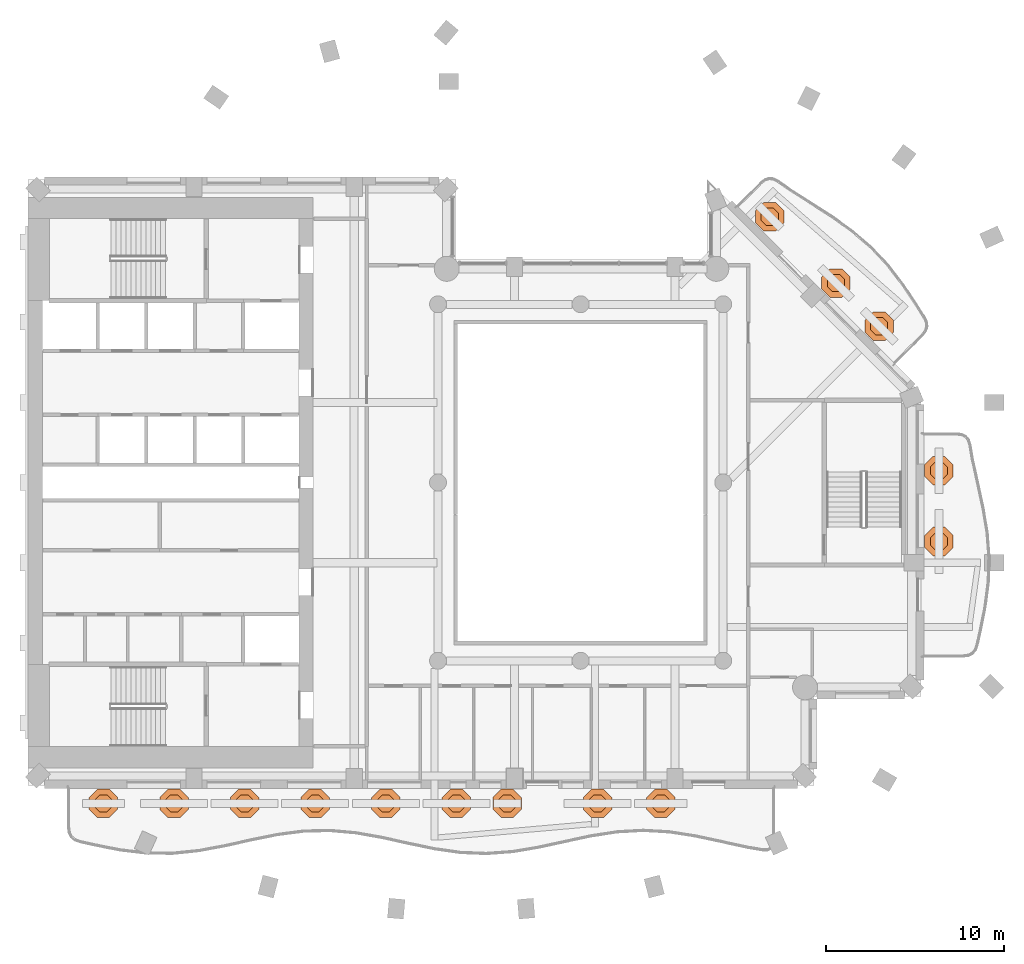
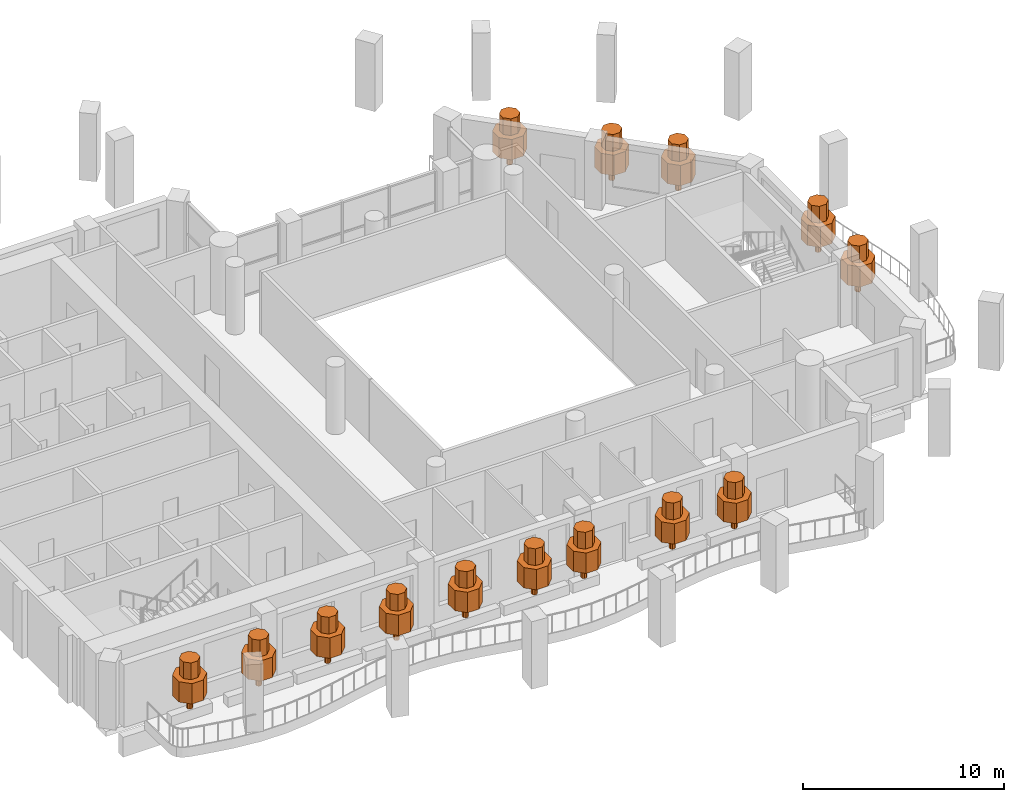
# One storey, part 15 of 15: 14 geographic elements.
"""IFC4 building model written with IfcOpenShell, lengths in metres."""

from ifc_helpers import new_model, si_unit, direction, frame, origin, place, context, subcontext, project, spatial, polyline, outline, extrude, material, type_object, element, save


model = new_model("IFC4")

# Units and contexts
model_context = context("Model", 3, precision=1e-05, world=origin(), true_north=direction((0.0, 1.0)))
body_context = subcontext(model_context, "Body", "Model", "MODEL_VIEW")
ifc_project = project(units=[si_unit("LENGTHUNIT", "METRE"), si_unit("AREAUNIT", "SQUARE_METRE"), si_unit("VOLUMEUNIT", "CUBIC_METRE"), si_unit("PLANEANGLEUNIT", "RADIAN"), si_unit("MASSUNIT", "GRAM", prefix="KILO")], contexts=[model_context])

# Site, building, storey
site_placement = place(None, origin())
site = spatial("IfcSite", under=ifc_project, at=site_placement, CompositionType="ELEMENT")
building_placement = place(site_placement, origin())
building = spatial("IfcBuilding", under=site, at=building_placement, Name="Cypress Arch Tower", CompositionType="ELEMENT")
storey_placement = place(building_placement, frame((0.0, 0.0, 164.60009765625)))
storey = spatial("IfcBuildingStorey", under=building, at=storey_placement, Name="L35", CompositionType="ELEMENT", Elevation=164.60009765625)

# Geographic elements
ifc_material = material(Name="Foliage and planting")
geographic_element_type = type_object("IfcGeographicElementType", Name="Balcony tree TR", PredefinedType="USERDEFINED", material=ifc_material)
for number, where, z_axis, x_axis, name in (
    (1, (-25.77001953125, -18.0, 0.599853515625), (0.0, 0.0, 1.0), (1.0, 0.0, 0.0), "Balcony tree L35-B01.1"),
    (2, (-21.81005859375, -18.0, 0.599853515625), (0.0, 0.0, 1.0), (1.0, 0.0, 0.0), "Balcony tree L35-B01.2"),
    (3, (-17.85009765625, -18.0, 0.599853515625), (0.0, 0.0, 1.0), (1.0, 0.0, 0.0), "Balcony tree L35-B01.3"),
    (4, (-13.889892578125, -18.0, 0.599853515625), (0.0, 0.0, 1.0), (1.0, 0.0, 0.0), "Balcony tree L35-B01.4"),
    (5, (-9.929931640625, -18.0, 0.599853515625), (0.0, 0.0, 1.0), (1.0, 0.0, 0.0), "Balcony tree L35-B01.5"),
    (6, (-5.969970703125, -18.0, 0.599853515625), (0.0, 0.0, 1.0), (1.0, 0.0, 0.0), "Balcony tree L35-B01.6"),
    (7, (-3.1201171875, -18.0, 0.599853515625), (0.0, 0.0, 1.0), (1.0, 0.0, 0.0), "Balcony tree L35-B01.7"),
    (8, (1.949951171875, -18.0, 0.599853515625), (0.0, 0.0, 1.0), (1.0, 0.0, 0.0), "Balcony tree L35-B01.8"),
    (9, (5.50244140625, -18.0, 0.599853515625), (0.0, 0.0, 1.0), (1.0, 0.0, 0.0), "Balcony tree L35-B01.9"),
    (10, (21.10009765625, -3.308349609375, 0.599853515625), (0.0, 0.0, 1.0), (1.0, 0.0, 0.0), "Balcony tree L35-B04.1"),
    (11, (21.10009765625, 0.666748046875, 0.599853515625), (0.0, 0.0, 1.0), (1.0, 0.0, 0.0), "Balcony tree L35-B04.2"),
    (12, (17.746337890625, 8.767822265625, 0.599853515625), (0.0, 0.0, 1.0), (1.0, 0.0, 0.0), "Balcony tree L35-B05.1"),
    (13, (15.324462890625, 11.189697265625, 0.599853515625), (0.0, 0.0, 1.0), (1.0, 0.0, 0.0), "Balcony tree L35-B05.2"),
    (14, (11.607177734375, 14.906982421875, 0.599853515625), (0.0, 0.0, 1.0), (1.0, 0.0, 0.0), "Balcony tree L35-B05.3"),
):
    element("IfcGeographicElement", number, at=place(storey_placement, frame(where, z_axis=z_axis, x_axis=x_axis)), inside=storey, type_object=geographic_element_type, Name=name, ObjectType="TREE", PredefinedType="USERDEFINED", context=body_context, shape_type="SweptSolid", body=[
        extrude(outline(polyline([(0.14990234375, 0.06201171875), (0.06201171875, 0.14990234375), (-0.06201171875, 0.14990234375), (-0.14990234375, 0.06201171875), (-0.14990234375, -0.06201171875), (-0.06201171875, -0.14990234375), (0.06201171875, -0.14990234375), (0.14990234375, -0.06201171875), (0.14990234375, 0.06201171875)])), origin(), (0.0, 0.0, 1.0), 0.89990234375),
        extrude(outline(polyline([(0.800048828125, 0.331298828125), (0.331298828125, 0.800048828125), (-0.331298828125, 0.800048828125), (-0.800048828125, 0.331298828125), (-0.800048828125, -0.331298828125), (-0.331298828125, -0.800048828125), (0.331298828125, -0.800048828125), (0.800048828125, -0.331298828125), (0.800048828125, 0.331298828125)])), frame((0.0, 0.0, 0.800048828125)), (0.0, 0.0, 1.0), 1.237548828125),
        extrude(outline(polyline([(0.47998046875, 0.19873046875), (0.19873046875, 0.47998046875), (-0.19873046875, 0.47998046875), (-0.47998046875, 0.19873046875), (-0.47998046875, -0.19873046875), (-0.19873046875, -0.47998046875), (0.19873046875, -0.47998046875), (0.47998046875, -0.19873046875), (0.47998046875, 0.19873046875)])), frame((0.0, 0.0, 2.03759765625)), (0.0, 0.0, 1.0), 1.012451171875),
    ])

save(model, "model.ifc")
